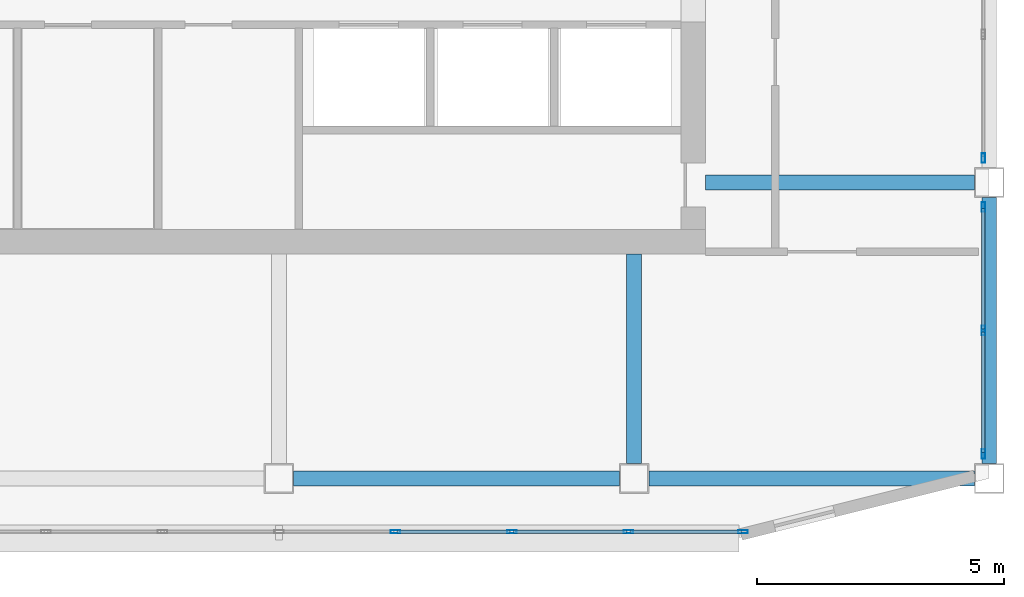
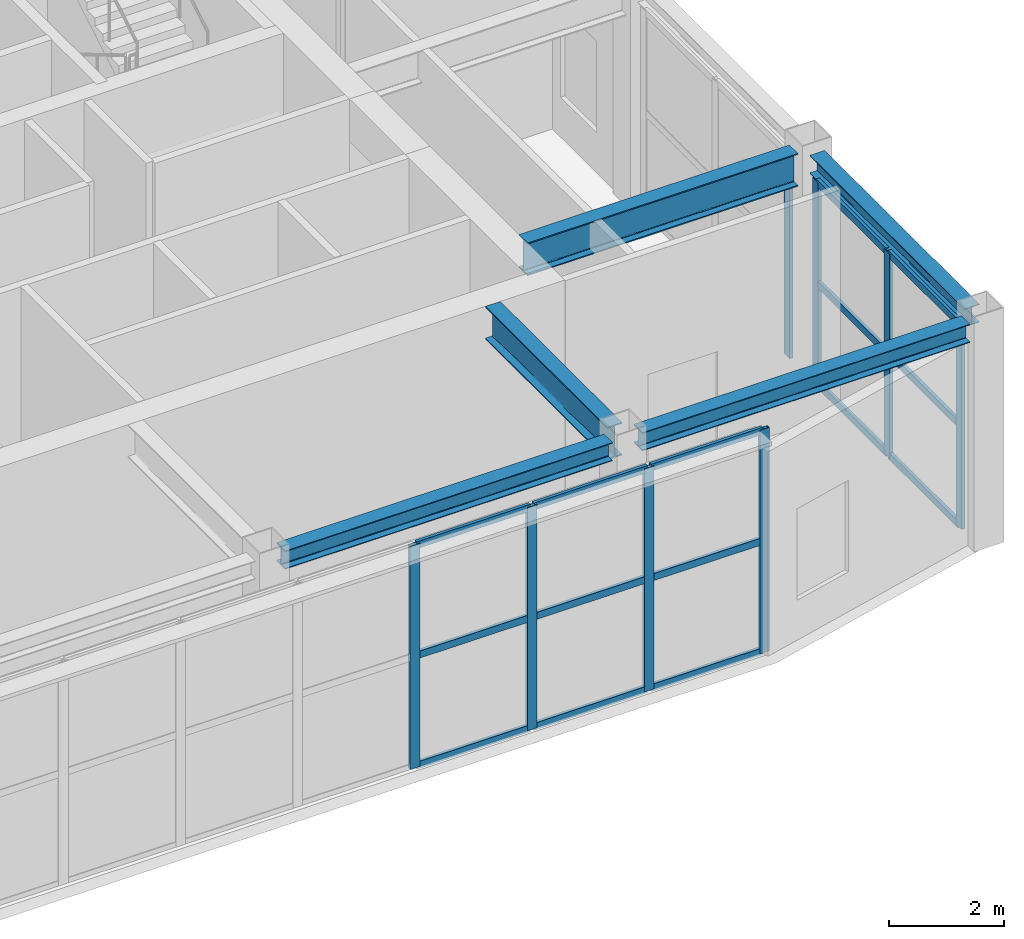
# One storey, part 4 of 11: 23 members, 5 beams, 3 elements without a shape of their own.
"""IFC4 building model written with IfcOpenShell, lengths in metres."""

from ifc_helpers import new_model, si_unit, direction, frame, origin, origin_2d, place, context, subcontext, project, spatial, hollow_rectangle, i_section, extrude, material, layer, layer_set, material_profile, profile_set, type_object, element, aggregate, save


model = new_model("IFC4")

# Units and contexts
model_context = context("Model", 3, precision=1e-05, world=origin(), true_north=direction((0.0, 1.0)))
body_context = subcontext(model_context, "Body", "Model", "MODEL_VIEW")
ifc_project = project(units=[si_unit("LENGTHUNIT", "METRE"), si_unit("AREAUNIT", "SQUARE_METRE"), si_unit("VOLUMEUNIT", "CUBIC_METRE"), si_unit("PLANEANGLEUNIT", "RADIAN"), si_unit("MASSUNIT", "GRAM", prefix="KILO")], contexts=[model_context])

# Site, building, storey
site_placement = place(None, origin())
site = spatial("IfcSite", under=ifc_project, at=site_placement, CompositionType="ELEMENT")
building_placement = place(site_placement, origin())
building = spatial("IfcBuilding", under=site, at=building_placement, Name="Haolan Belvedere Tower", CompositionType="ELEMENT")
storey_placement = place(building_placement, frame((0.0, 0.0, 318.199951171875)))
storey = spatial("IfcBuildingStorey", under=building, at=storey_placement, Name="L80", CompositionType="ELEMENT", Elevation=318.199951171875)

# Beams
ifc_material_1 = material(Name="Steel Q355B", Category="steel")
ifc_material_profile_1 = material_profile(ifc_material_1, i_section(OverallWidth=0.300048828125, OverallDepth=0.389892578125, WebThickness=0.010009765625, FlangeThickness=0.01611328125, FilletRadius=0.02197265625, at=origin_2d()), Name="Steel Q355B")
ifc_profile_set_1 = profile_set([ifc_material_profile_1], Name="Steel Q355B")
beam_type_1 = type_object("IfcBeamType", Name="BM-HM390x300x10x16", PredefinedType="SPANDREL", material=ifc_profile_set_1)
beam_1_placement = place(storey_placement, frame((52.800048828125, 21.89990234375, 4.56494140625), z_axis=(0.0, 1.0, 0.0), x_axis=(-1.0, 0.0, 0.0)))
element("IfcBeam", 1, at=beam_1_placement, inside=storey, type_object=beam_type_1, Name="L80 spandrel girder MC-T3-SE-TC-T3-E1", PredefinedType="SPANDREL", context=body_context, shape_type="SweptSolid", body=[
    extrude(i_section(OverallWidth=0.300048828125, OverallDepth=0.389892578125, WebThickness=0.010009765625, FlangeThickness=0.01611328125, FilletRadius=0.02197265625, at=origin_2d()), origin(), (0.0, 0.0, 1.0), 5.400146484375),
])
for number, where, z_axis, x_axis, name in (
    (2, (38.699951171875, 21.60009765625, 4.56494140625), (1.0, 0.0, 0.0), (0.0, 1.0, 0.0), "L80 spandrel girder TC-T3-SM-MC-T3-S2"),
    (3, (45.89990234375, 21.60009765625, 4.56494140625), (1.0, 0.0, 0.0), (0.0, 1.0, 0.0), "L80 spandrel girder MC-T3-S2-MC-T3-SE"),
):
    element("IfcBeam", number, at=place(storey_placement, frame(where, z_axis=z_axis, x_axis=x_axis)), inside=storey, type_object=beam_type_1, Name=name, PredefinedType="SPANDREL", context=body_context, shape_type="SweptSolid", body=[
        extrude(i_section(OverallWidth=0.300048828125, OverallDepth=0.389892578125, WebThickness=0.010009765625, FlangeThickness=0.01611328125, FilletRadius=0.02197265625, at=origin_2d()), origin(), (0.0, 0.0, 1.0), 6.60009765625),
    ])
ifc_material_profile_2 = material_profile(ifc_material_1, i_section(OverallWidth=0.300048828125, OverallDepth=0.699951171875, WebThickness=0.012939453125, FlangeThickness=0.02392578125, FilletRadius=0.02587890625, at=origin_2d()), Name="Steel Q355B")
ifc_profile_set_2 = profile_set([ifc_material_profile_2], Name="Steel Q355B")
beam_type_2 = type_object("IfcBeamType", Name="BM-HN700x300x13x24", PredefinedType="BEAM", material=ifc_profile_set_2)
beam_2_placement = place(storey_placement, frame((52.5, 27.60009765625, 4.41015625), z_axis=(-1.0, 0.0, 0.0), x_axis=(0.0, -1.0, 0.0)))
element("IfcBeam", 4, at=beam_2_placement, inside=storey, type_object=beam_type_2, Name="L80 core tie beam from TC-T3-E1", PredefinedType="BEAM", context=body_context, shape_type="SweptSolid", body=[
    extrude(i_section(OverallWidth=0.300048828125, OverallDepth=0.699951171875, WebThickness=0.012939453125, FlangeThickness=0.02392578125, FilletRadius=0.02587890625, at=origin_2d()), origin(), (0.0, 0.0, 1.0), 5.449951171875),
])
beam_3_placement = place(storey_placement, frame((45.60009765625, 21.89990234375, 4.41015625), z_axis=(0.0, 1.0, 0.0), x_axis=(-1.0, 0.0, 0.0)))
element("IfcBeam", 5, at=beam_3_placement, inside=storey, type_object=beam_type_2, Name="L80 core tie beam from MC-T3-S2", PredefinedType="BEAM", context=body_context, shape_type="SweptSolid", body=[
    extrude(i_section(OverallWidth=0.300048828125, OverallDepth=0.699951171875, WebThickness=0.012939453125, FlangeThickness=0.02392578125, FilletRadius=0.02587890625, at=origin_2d()), origin(), (0.0, 0.0, 1.0), 4.25),
])

# Curtain wall, members
ifc_material_2 = material(Name="Anodised champagne-silver aluminium 6063-T6 and Low-E glass", Category="aluminium")
ifc_layer = layer(ifc_material_2, 0.195068359375, Name="Anodised champagne-silver aluminium 6063-T6 and Low-E glass")
ifc_layer_set = layer_set([ifc_layer], Name="Anodised champagne-silver aluminium 6063-T6 and Low-E glass")
curtain_wall_type = type_object("IfcCurtainWallType", Name="CW-SYS-06", PredefinedType="NOTDEFINED", material=ifc_layer_set)
curtain_wall_1_placement = place(storey_placement, origin())
curtain_wall_1 = element("IfcCurtainWall", 6, at=curtain_wall_1_placement, inside=storey, type_object=curtain_wall_type, Name="L80 CW-SYS-06 ribbon curtain wall 1.1", PredefinedType="NOTDEFINED")
ifc_material_3 = material(Name="Anodised aluminium 6063-T6", Category="aluminium")
ifc_material_profile_3 = material_profile(ifc_material_3, hollow_rectangle(XDim=0.070068359375, YDim=0.195068359375, WallThickness=0.00390625, at=origin_2d()), Name="Anodised aluminium 6063-T6")
ifc_profile_set_3 = profile_set([ifc_material_profile_3], Name="Anodised aluminium 6063-T6")
member_type_1 = type_object("IfcMemberType", Name="CW-SYS-06-MUL", PredefinedType="MULLION", material=ifc_profile_set_3)
member_1_placement = place(storey_placement, frame((40.76123046875, 20.52001953125, 0.0), z_axis=(0.0, 0.0, 1.0), x_axis=(0.0, 1.0, 0.0)))
member_1 = element("IfcMember", 7, at=member_1_placement, type_object=member_type_1, Name="CW-06 mullion 6", PredefinedType="MULLION", context=body_context, shape_type="SweptSolid", body=[
    extrude(hollow_rectangle(XDim=0.070068359375, YDim=0.195068359375, WallThickness=0.00390625, at=origin_2d()), origin(), (0.0, 0.0, 1.0), 4.760009765625),
])
member_2_placement = place(storey_placement, frame((43.12255859375, 20.52001953125, 0.0), z_axis=(0.0, 0.0, 1.0), x_axis=(0.0, 1.0, 0.0)))
member_2 = element("IfcMember", 8, at=member_2_placement, type_object=member_type_1, Name="CW-06 mullion 7", PredefinedType="MULLION", context=body_context, shape_type="SweptSolid", body=[
    extrude(hollow_rectangle(XDim=0.070068359375, YDim=0.195068359375, WallThickness=0.00390625, at=origin_2d()), origin(), (0.0, 0.0, 1.0), 4.760009765625),
])
member_3_placement = place(storey_placement, frame((45.48388671875, 20.52001953125, 0.0), z_axis=(0.0, 0.0, 1.0), x_axis=(0.0, 1.0, 0.0)))
member_3 = element("IfcMember", 9, at=member_3_placement, type_object=member_type_1, Name="CW-06 mullion 8", PredefinedType="MULLION", context=body_context, shape_type="SweptSolid", body=[
    extrude(hollow_rectangle(XDim=0.070068359375, YDim=0.195068359375, WallThickness=0.00390625, at=origin_2d()), origin(), (0.0, 0.0, 1.0), 4.760009765625),
])
member_4_placement = place(storey_placement, frame((47.810302734375, 20.52001953125, 0.0), z_axis=(0.0, 0.0, 1.0), x_axis=(0.0, 1.0, 0.0)))
member_4 = element("IfcMember", 10, at=member_4_placement, type_object=member_type_1, Name="CW-06 mullion 9", PredefinedType="MULLION", context=body_context, shape_type="SweptSolid", body=[
    extrude(hollow_rectangle(XDim=0.070068359375, YDim=0.195068359375, WallThickness=0.00390625, at=origin_2d()), origin(), (0.0, 0.0, 1.0), 4.760009765625),
])

curtain_wall_2_placement = place(storey_placement, origin())
curtain_wall_2 = element("IfcCurtainWall", 11, at=curtain_wall_2_placement, inside=storey, type_object=curtain_wall_type, Name="L80 CW-SYS-06 ribbon curtain wall 3.1", PredefinedType="NOTDEFINED")
member_5_placement = place(storey_placement, frame((52.679931640625, 22.094970703125, 0.0), z_axis=(0.0, 0.0, 1.0), x_axis=(-1.0, 0.0, 0.0)))
member_5 = element("IfcMember", 12, at=member_5_placement, type_object=member_type_1, Name="CW-06 mullion 1", PredefinedType="MULLION", context=body_context, shape_type="SweptSolid", body=[
    extrude(hollow_rectangle(XDim=0.070068359375, YDim=0.195068359375, WallThickness=0.00390625, at=origin_2d()), origin(), (0.0, 0.0, 1.0), 4.35498046875),
])
member_6_placement = place(storey_placement, frame((52.679931640625, 24.60009765625, 0.0), z_axis=(0.0, 0.0, 1.0), x_axis=(-1.0, 0.0, 0.0)))
member_6 = element("IfcMember", 13, at=member_6_placement, type_object=member_type_1, Name="CW-06 mullion 2", PredefinedType="MULLION", context=body_context, shape_type="SweptSolid", body=[
    extrude(hollow_rectangle(XDim=0.070068359375, YDim=0.195068359375, WallThickness=0.00390625, at=origin_2d()), origin(), (0.0, 0.0, 1.0), 4.35498046875),
])
member_7_placement = place(storey_placement, frame((52.679931640625, 27.10498046875, 0.0), z_axis=(0.0, 0.0, 1.0), x_axis=(-1.0, 0.0, 0.0)))
member_7 = element("IfcMember", 14, at=member_7_placement, type_object=member_type_1, Name="CW-06 mullion 3", PredefinedType="MULLION", context=body_context, shape_type="SweptSolid", body=[
    extrude(hollow_rectangle(XDim=0.070068359375, YDim=0.195068359375, WallThickness=0.00390625, at=origin_2d()), origin(), (0.0, 0.0, 1.0), 4.35498046875),
])

# Curtain wall, member
curtain_wall_3_placement = place(storey_placement, origin())
curtain_wall_3 = element("IfcCurtainWall", 15, at=curtain_wall_3_placement, inside=storey, type_object=curtain_wall_type, Name="L80 CW-SYS-06 ribbon curtain wall 3.2", PredefinedType="NOTDEFINED")
member_8_placement = place(storey_placement, frame((52.679931640625, 28.094970703125, 0.0), z_axis=(0.0, 0.0, 1.0), x_axis=(-1.0, 0.0, 0.0)))
member_8 = element("IfcMember", 16, at=member_8_placement, type_object=member_type_1, Name="CW-06 mullion 1", PredefinedType="MULLION", context=body_context, shape_type="SweptSolid", body=[
    extrude(hollow_rectangle(XDim=0.070068359375, YDim=0.195068359375, WallThickness=0.00390625, at=origin_2d()), origin(), (0.0, 0.0, 1.0), 4.35498046875),
])
aggregate(curtain_wall_3, [member_8])

# Member
ifc_material_profile_4 = material_profile(ifc_material_3, hollow_rectangle(XDim=0.06494140625, YDim=0.14990234375, WallThickness=0.00390625, at=origin_2d()), Name="Anodised aluminium 6063-T6")
ifc_profile_set_4 = profile_set([ifc_material_profile_4], Name="Anodised aluminium 6063-T6")
member_type_2 = type_object("IfcMemberType", Name="CW-SYS-06-TRN", PredefinedType="USERDEFINED", material=ifc_profile_set_4)
member_9_placement = place(storey_placement, frame((40.79638671875, 20.52001953125, 0.032470703125), z_axis=(1.0, 0.0, 0.0), x_axis=(0.0, 1.0, 0.0)))
member_9 = element("IfcMember", 17, at=member_9_placement, type_object=member_type_2, Name="CW-06 transom 6.1", ObjectType="TRANSOM", PredefinedType="USERDEFINED", context=body_context, shape_type="SweptSolid", body=[
    extrude(hollow_rectangle(XDim=0.06494140625, YDim=0.14990234375, WallThickness=0.00390625, at=origin_2d()), origin(), (0.0, 0.0, 1.0), 2.291259765625),
])

member_10_placement = place(storey_placement, frame((40.79638671875, 20.52001953125, 2.380126953125), z_axis=(1.0, 0.0, 0.0), x_axis=(0.0, 1.0, 0.0)))
member_10 = element("IfcMember", 18, at=member_10_placement, type_object=member_type_2, Name="CW-06 transom 6.2", ObjectType="TRANSOM", PredefinedType="USERDEFINED", context=body_context, shape_type="SweptSolid", body=[
    extrude(hollow_rectangle(XDim=0.06494140625, YDim=0.14990234375, WallThickness=0.00390625, at=origin_2d()), origin(), (0.0, 0.0, 1.0), 2.291259765625),
])

member_11_placement = place(storey_placement, frame((40.79638671875, 20.52001953125, 4.7275390625), z_axis=(1.0, 0.0, 0.0), x_axis=(0.0, 1.0, 0.0)))
member_11 = element("IfcMember", 19, at=member_11_placement, type_object=member_type_2, Name="CW-06 transom 6.3", ObjectType="TRANSOM", PredefinedType="USERDEFINED", context=body_context, shape_type="SweptSolid", body=[
    extrude(hollow_rectangle(XDim=0.06494140625, YDim=0.14990234375, WallThickness=0.00390625, at=origin_2d()), origin(), (0.0, 0.0, 1.0), 2.291259765625),
])

member_12_placement = place(storey_placement, frame((43.15771484375, 20.52001953125, 0.032470703125), z_axis=(1.0, 0.0, 0.0), x_axis=(0.0, 1.0, 0.0)))
member_12 = element("IfcMember", 20, at=member_12_placement, type_object=member_type_2, Name="CW-06 transom 7.1", ObjectType="TRANSOM", PredefinedType="USERDEFINED", context=body_context, shape_type="SweptSolid", body=[
    extrude(hollow_rectangle(XDim=0.06494140625, YDim=0.14990234375, WallThickness=0.00390625, at=origin_2d()), origin(), (0.0, 0.0, 1.0), 2.291259765625),
])

member_13_placement = place(storey_placement, frame((43.15771484375, 20.52001953125, 2.380126953125), z_axis=(1.0, 0.0, 0.0), x_axis=(0.0, 1.0, 0.0)))
member_13 = element("IfcMember", 21, at=member_13_placement, type_object=member_type_2, Name="CW-06 transom 7.2", ObjectType="TRANSOM", PredefinedType="USERDEFINED", context=body_context, shape_type="SweptSolid", body=[
    extrude(hollow_rectangle(XDim=0.06494140625, YDim=0.14990234375, WallThickness=0.00390625, at=origin_2d()), origin(), (0.0, 0.0, 1.0), 2.291259765625),
])

member_14_placement = place(storey_placement, frame((43.15771484375, 20.52001953125, 4.7275390625), z_axis=(1.0, 0.0, 0.0), x_axis=(0.0, 1.0, 0.0)))
member_14 = element("IfcMember", 22, at=member_14_placement, type_object=member_type_2, Name="CW-06 transom 7.3", ObjectType="TRANSOM", PredefinedType="USERDEFINED", context=body_context, shape_type="SweptSolid", body=[
    extrude(hollow_rectangle(XDim=0.06494140625, YDim=0.14990234375, WallThickness=0.00390625, at=origin_2d()), origin(), (0.0, 0.0, 1.0), 2.291259765625),
])

member_15_placement = place(storey_placement, frame((45.518798828125, 20.52001953125, 0.032470703125), z_axis=(1.0, 0.0, 0.0), x_axis=(0.0, 1.0, 0.0)))
member_15 = element("IfcMember", 23, at=member_15_placement, type_object=member_type_2, Name="CW-06 transom 8.1", ObjectType="TRANSOM", PredefinedType="USERDEFINED", context=body_context, shape_type="SweptSolid", body=[
    extrude(hollow_rectangle(XDim=0.06494140625, YDim=0.14990234375, WallThickness=0.00390625, at=origin_2d()), origin(), (0.0, 0.0, 1.0), 2.25634765625),
])

member_16_placement = place(storey_placement, frame((45.518798828125, 20.52001953125, 2.380126953125), z_axis=(1.0, 0.0, 0.0), x_axis=(0.0, 1.0, 0.0)))
member_16 = element("IfcMember", 24, at=member_16_placement, type_object=member_type_2, Name="CW-06 transom 8.2", ObjectType="TRANSOM", PredefinedType="USERDEFINED", context=body_context, shape_type="SweptSolid", body=[
    extrude(hollow_rectangle(XDim=0.06494140625, YDim=0.14990234375, WallThickness=0.00390625, at=origin_2d()), origin(), (0.0, 0.0, 1.0), 2.25634765625),
])

member_17_placement = place(storey_placement, frame((45.518798828125, 20.52001953125, 4.7275390625), z_axis=(1.0, 0.0, 0.0), x_axis=(0.0, 1.0, 0.0)))
member_17 = element("IfcMember", 25, at=member_17_placement, type_object=member_type_2, Name="CW-06 transom 8.3", ObjectType="TRANSOM", PredefinedType="USERDEFINED", context=body_context, shape_type="SweptSolid", body=[
    extrude(hollow_rectangle(XDim=0.06494140625, YDim=0.14990234375, WallThickness=0.00390625, at=origin_2d()), origin(), (0.0, 0.0, 1.0), 2.25634765625),
])

aggregate(curtain_wall_1, [member_1, member_2, member_3, member_4, member_9, member_10, member_11, member_12, member_13, member_14, member_15, member_16, member_17])

member_18_placement = place(storey_placement, frame((52.679931640625, 22.1298828125, 0.032470703125), z_axis=(0.0, 1.0, 0.0), x_axis=(-1.0, 0.0, 0.0)))
member_18 = element("IfcMember", 26, at=member_18_placement, type_object=member_type_2, Name="CW-06 transom 1.1", ObjectType="TRANSOM", PredefinedType="USERDEFINED", context=body_context, shape_type="SweptSolid", body=[
    extrude(hollow_rectangle(XDim=0.06494140625, YDim=0.14990234375, WallThickness=0.00390625, at=origin_2d()), origin(), (0.0, 0.0, 1.0), 2.43505859375),
])

member_19_placement = place(storey_placement, frame((52.679931640625, 22.1298828125, 2.177490234375), z_axis=(0.0, 1.0, 0.0), x_axis=(-1.0, 0.0, 0.0)))
member_19 = element("IfcMember", 27, at=member_19_placement, type_object=member_type_2, Name="CW-06 transom 1.2", ObjectType="TRANSOM", PredefinedType="USERDEFINED", context=body_context, shape_type="SweptSolid", body=[
    extrude(hollow_rectangle(XDim=0.06494140625, YDim=0.14990234375, WallThickness=0.00390625, at=origin_2d()), origin(), (0.0, 0.0, 1.0), 2.43505859375),
])

member_20_placement = place(storey_placement, frame((52.679931640625, 22.1298828125, 4.322509765625), z_axis=(0.0, 1.0, 0.0), x_axis=(-1.0, 0.0, 0.0)))
member_20 = element("IfcMember", 28, at=member_20_placement, type_object=member_type_2, Name="CW-06 transom 1.3", ObjectType="TRANSOM", PredefinedType="USERDEFINED", context=body_context, shape_type="SweptSolid", body=[
    extrude(hollow_rectangle(XDim=0.06494140625, YDim=0.14990234375, WallThickness=0.00390625, at=origin_2d()), origin(), (0.0, 0.0, 1.0), 2.43505859375),
])

member_21_placement = place(storey_placement, frame((52.679931640625, 24.635009765625, 0.032470703125), z_axis=(0.0, 1.0, 0.0), x_axis=(-1.0, 0.0, 0.0)))
member_21 = element("IfcMember", 29, at=member_21_placement, type_object=member_type_2, Name="CW-06 transom 2.1", ObjectType="TRANSOM", PredefinedType="USERDEFINED", context=body_context, shape_type="SweptSolid", body=[
    extrude(hollow_rectangle(XDim=0.06494140625, YDim=0.14990234375, WallThickness=0.00390625, at=origin_2d()), origin(), (0.0, 0.0, 1.0), 2.43505859375),
])

member_22_placement = place(storey_placement, frame((52.679931640625, 24.635009765625, 2.177490234375), z_axis=(0.0, 1.0, 0.0), x_axis=(-1.0, 0.0, 0.0)))
member_22 = element("IfcMember", 30, at=member_22_placement, type_object=member_type_2, Name="CW-06 transom 2.2", ObjectType="TRANSOM", PredefinedType="USERDEFINED", context=body_context, shape_type="SweptSolid", body=[
    extrude(hollow_rectangle(XDim=0.06494140625, YDim=0.14990234375, WallThickness=0.00390625, at=origin_2d()), origin(), (0.0, 0.0, 1.0), 2.43505859375),
])

member_23_placement = place(storey_placement, frame((52.679931640625, 24.635009765625, 4.322509765625), z_axis=(0.0, 1.0, 0.0), x_axis=(-1.0, 0.0, 0.0)))
member_23 = element("IfcMember", 31, at=member_23_placement, type_object=member_type_2, Name="CW-06 transom 2.3", ObjectType="TRANSOM", PredefinedType="USERDEFINED", context=body_context, shape_type="SweptSolid", body=[
    extrude(hollow_rectangle(XDim=0.06494140625, YDim=0.14990234375, WallThickness=0.00390625, at=origin_2d()), origin(), (0.0, 0.0, 1.0), 2.43505859375),
])

aggregate(curtain_wall_2, [member_5, member_6, member_7, member_18, member_19, member_20, member_21, member_22, member_23])

save(model, "model.ifc")
